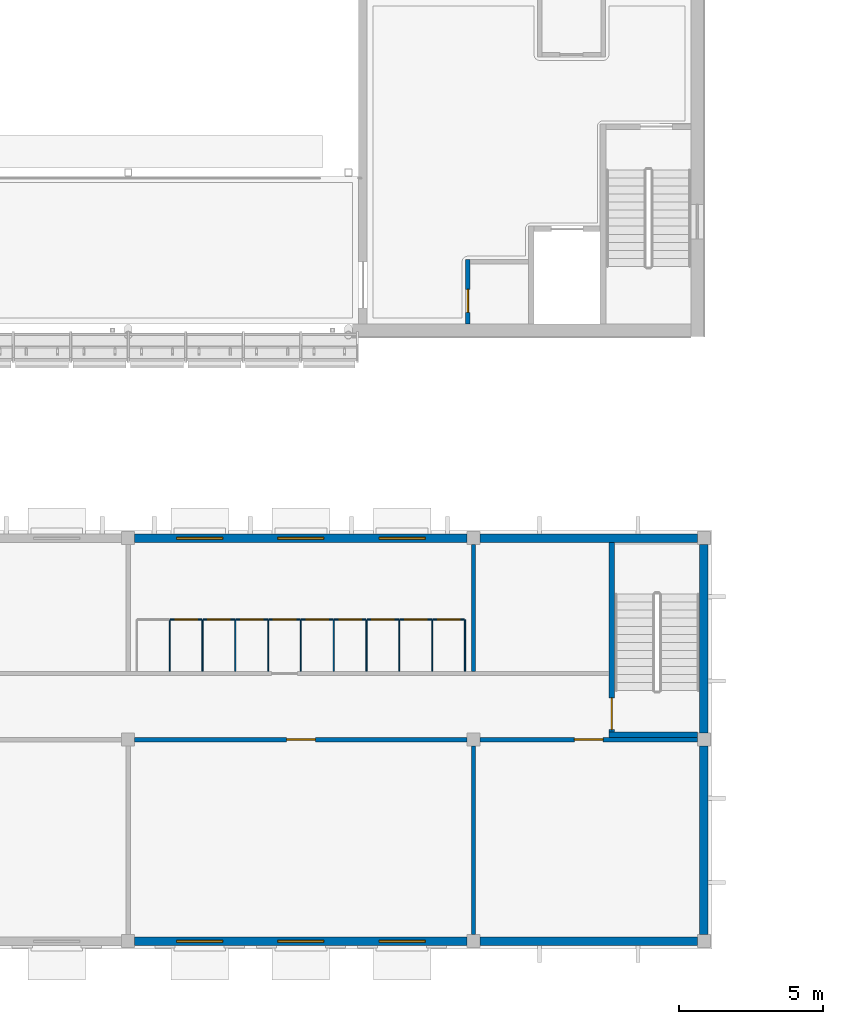
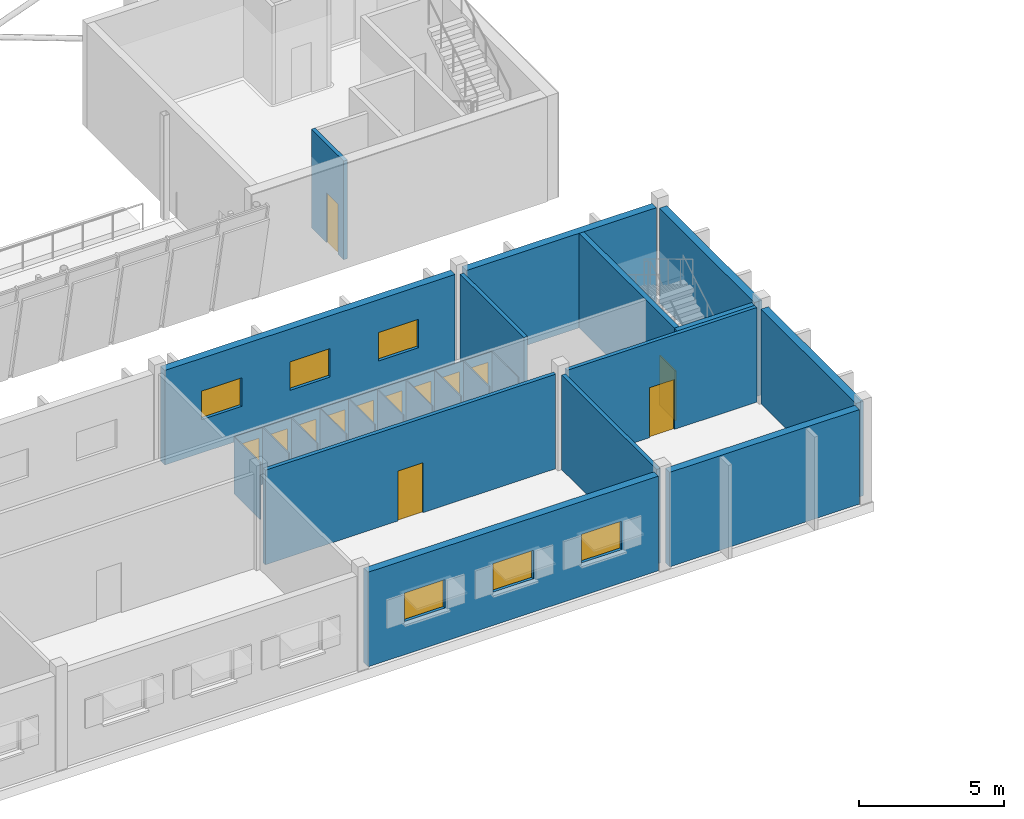
# One storey, part 74 of 115: 32 walls, 13 doors, 6 windows, 19 openings.
"""IFC4 building model written with IfcOpenShell, lengths in metres."""

from ifc_helpers import new_model, si_unit, direction, frame, frame_2d, origin, place, context, subcontext, project, spatial, rectangle, extrude, material, layer, layer_set, type_object, element, fill, save


model = new_model("IFC4")

# Units and contexts
model_context = context("Model", 3, precision=1e-05, world=origin(), true_north=direction((0.0, 1.0)))
body_context = subcontext(model_context, "Body", "Model", "MODEL_VIEW")
ifc_project = project(units=[si_unit("LENGTHUNIT", "METRE"), si_unit("AREAUNIT", "SQUARE_METRE"), si_unit("VOLUMEUNIT", "CUBIC_METRE"), si_unit("PLANEANGLEUNIT", "RADIAN"), si_unit("MASSUNIT", "GRAM", prefix="KILO")], contexts=[model_context])

# Site, building, storey
site_placement = place(None, origin())
site = spatial("IfcSite", under=ifc_project, at=site_placement, CompositionType="ELEMENT")
building_placement = place(site_placement, origin())
building = spatial("IfcBuilding", under=site, at=building_placement, Name="Windward Yard Aquatics Centre", CompositionType="ELEMENT")
storey_placement = place(building_placement, frame((0.0, 0.0, 5.0)))
storey = spatial("IfcBuildingStorey", under=building, at=storey_placement, Name="L01", CompositionType="ELEMENT", Elevation=5.0)

# Wall, opening, door
ifc_material_1 = material(Name="Concrete masonry unit plastered", Category="masonry")
ifc_layer_1 = layer(ifc_material_1, 0.14990234375)
ifc_layer_set_1 = layer_set([ifc_layer_1], Name="C block partition 150")
wall_type_1 = type_object("IfcWallType", Name="C block partition 150", PredefinedType="PARTITIONING", material=ifc_layer_set_1)
wall_1_placement = place(storey_placement, frame((132.22509765625, 12.0, 0.0), z_axis=(0.0, 0.0, 1.0), x_axis=(1.0, 0.0, 0.0)))
wall_1 = element("IfcWall", 1, at=wall_1_placement, inside=storey, type_object=wall_type_1, Name="C.W.L01.SP.S.8", PredefinedType="PARTITIONING", context=body_context, shape_type="SweptSolid", body=[
    extrude(rectangle(XDim=11.5498046875, YDim=0.14990234375, at=frame_2d((5.77490234375, 0.0))), origin(), (0.0, 0.0, 1.0), 3.97998046875),
])
opening_1_placement = place(wall_1_placement, frame((5.27490234375, 0.0, 0.0)))
opening_1 = element("IfcOpeningElement", 2, at=opening_1_placement, cuts=wall_1, Name="Opening C1007", PredefinedType="OPENING", context=body_context, shape_type="SweptSolid", body=[
    extrude(rectangle(XDim=1.0, YDim=2.10009765625, at=frame_2d((0.5, 1.050048828125))), frame((0.0, 0.0849609375, 0.0), z_axis=(0.0, -1.0, 0.0), x_axis=(1.0, 0.0, 0.0)), (0.0, 0.0, 1.0), 0.169921875),
])
ifc_material_2 = material(Name="Timber door leaf in steel frame", Category="steel")
door_type_1 = type_object("IfcDoorType", Name="C door 1000X2100 FD30S", OperationType="SINGLE_SWING_LEFT", PredefinedType="DOOR", material=ifc_material_2)
door_1_placement = place(opening_1_placement, origin())
door_1 = element("IfcDoor", 3, at=door_1_placement, inside=storey, type_object=door_type_1, Name="Door C1007", OperationType="SINGLE_SWING_LEFT", OverallHeight=2.10009765625, OverallWidth=1.0, PredefinedType="DOOR", context=body_context, shape_type="SweptSolid", body=[
    extrude(rectangle(XDim=1.0, YDim=2.10009765625, at=frame_2d((0.5, 1.050048828125))), frame((0.0, 0.02490234375, 0.0), z_axis=(0.0, -1.0, 0.0), x_axis=(1.0, 0.0, 0.0)), (0.0, 0.0, 1.0), 0.050048828125),
])
fill(opening_1, door_1)

wall_2_placement = place(storey_placement, frame((144.22509765625, 12.0, 0.0), z_axis=(0.0, 0.0, 1.0), x_axis=(1.0, 0.0, 0.0)))
wall_2 = element("IfcWall", 4, at=wall_2_placement, inside=storey, type_object=wall_type_1, Name="C.W.L01.SP.S.9", PredefinedType="PARTITIONING", context=body_context, shape_type="SweptSolid", body=[
    extrude(rectangle(XDim=7.5498046875, YDim=0.14990234375, at=frame_2d((3.77490234375, 0.0))), origin(), (0.0, 0.0, 1.0), 3.97998046875),
])
opening_2_placement = place(wall_2_placement, frame((3.27490234375, 0.0, 0.0)))
opening_2 = element("IfcOpeningElement", 5, at=opening_2_placement, cuts=wall_2, Name="Opening C1008", PredefinedType="OPENING", context=body_context, shape_type="SweptSolid", body=[
    extrude(rectangle(XDim=1.0, YDim=2.10009765625, at=frame_2d((0.5, 1.050048828125))), frame((0.0, 0.0849609375, 0.0), z_axis=(0.0, -1.0, 0.0), x_axis=(1.0, 0.0, 0.0)), (0.0, 0.0, 1.0), 0.169921875),
])
door_2_placement = place(opening_2_placement, origin())
door_2 = element("IfcDoor", 6, at=door_2_placement, inside=storey, type_object=door_type_1, Name="Door C1008", OperationType="SINGLE_SWING_LEFT", OverallHeight=2.10009765625, OverallWidth=1.0, PredefinedType="DOOR", context=body_context, shape_type="SweptSolid", body=[
    extrude(rectangle(XDim=1.0, YDim=2.10009765625, at=frame_2d((0.5, 1.050048828125))), frame((0.0, 0.02490234375, 0.0), z_axis=(0.0, -1.0, 0.0), x_axis=(1.0, 0.0, 0.0)), (0.0, 0.0, 1.0), 0.050048828125),
])
fill(opening_2, door_2)

# Walls
wall_3_placement = place(storey_placement, frame((144.0, 5.22509765625, 0.0), z_axis=(0.0, 0.0, 1.0), x_axis=(0.0, 1.0, 0.0)))
element("IfcWall", 7, at=wall_3_placement, inside=storey, type_object=wall_type_1, Name="C.W.L01.SD.92.1", PredefinedType="PARTITIONING", context=body_context, shape_type="SweptSolid", body=[
    extrude(rectangle(XDim=6.5498046875, YDim=0.14990234375, at=frame_2d((3.27490234375, 0.0))), origin(), (0.0, 0.0, 1.0), 3.97998046875),
])
wall_4_placement = place(storey_placement, frame((144.0, 14.375, 0.0), z_axis=(0.0, 0.0, 1.0), x_axis=(0.0, 1.0, 0.0)))
element("IfcWall", 8, at=wall_4_placement, inside=storey, type_object=wall_type_1, Name="C.W.L01.ND.92.1", PredefinedType="PARTITIONING", context=body_context, shape_type="SweptSolid", body=[
    extrude(rectangle(XDim=4.39990234375, YDim=0.14990234375, at=frame_2d((2.199951171875, 0.0))), origin(), (0.0, 0.0, 1.0), 3.97998046875),
])

# Wall, opening, door
ifc_material_3 = material(Name="Concrete C35/45", Category="concrete")
ifc_layer_2 = layer(ifc_material_3, 0.199951171875)
ifc_layer_set_2 = layer_set([ifc_layer_2], Name="C core enclosure wall 200")
wall_type_2 = type_object("IfcWallType", Name="C core enclosure wall 200", PredefinedType="SOLIDWALL", material=ifc_layer_set_2)
wall_5_placement = place(storey_placement, frame((148.800048828125, 12.27490234375, 0.0), z_axis=(0.0, 0.0, 1.0), x_axis=(0.0, 1.0, 0.0)))
wall_5 = element("IfcWall", 9, at=wall_5_placement, inside=storey, type_object=wall_type_2, Name="C.W.L01.SE2.D", PredefinedType="SOLIDWALL", context=body_context, shape_type="SweptSolid", body=[
    extrude(rectangle(XDim=6.5751953125, YDim=0.199951171875, at=frame_2d((3.28759765625, 0.0))), origin(), (0.0, 0.0, 1.0), 3.97998046875),
])
opening_3_placement = place(wall_5_placement, frame((0.074951171875, 0.0, 0.0)))
opening_3 = element("IfcOpeningElement", 10, at=opening_3_placement, cuts=wall_5, Name="Opening C1020", PredefinedType="OPENING", context=body_context, shape_type="SweptSolid", body=[
    extrude(rectangle(XDim=1.10009765625, YDim=2.10009765625, at=frame_2d((0.550048828125, 1.050048828125))), frame((0.0, 0.10986328125, 0.0), z_axis=(0.0, -1.0, 0.0), x_axis=(1.0, 0.0, 0.0)), (0.0, 0.0, 1.0), 0.219970703125),
])
ifc_material_4 = material(Name="Steel door leaf in steel frame", Category="steel")
door_type_2 = type_object("IfcDoorType", Name="C steel door 1100X2100 FD60", OperationType="SINGLE_SWING_LEFT", PredefinedType="DOOR", material=ifc_material_4)
door_3_placement = place(opening_3_placement, origin())
door_3 = element("IfcDoor", 11, at=door_3_placement, inside=storey, type_object=door_type_2, Name="Door C1020", OperationType="SINGLE_SWING_LEFT", OverallHeight=2.10009765625, OverallWidth=1.10009765625, PredefinedType="DOOR", context=body_context, shape_type="SweptSolid", body=[
    extrude(rectangle(XDim=1.10009765625, YDim=2.10009765625, at=frame_2d((0.550048828125, 1.050048828125))), frame((0.0, 0.02490234375, 0.0), z_axis=(0.0, -1.0, 0.0), x_axis=(1.0, 0.0, 0.0)), (0.0, 0.0, 1.0), 0.050048828125),
])
fill(opening_3, door_3)

# Walls
wall_6_placement = place(storey_placement, frame((148.699951171875, 12.175048828125, 0.0), z_axis=(0.0, 0.0, 1.0), x_axis=(1.0, 0.0, 0.0)))
element("IfcWall", 12, at=wall_6_placement, inside=storey, type_object=wall_type_2, Name="C.W.L01.SE2.S", PredefinedType="SOLIDWALL", context=body_context, shape_type="SweptSolid", body=[
    extrude(rectangle(XDim=3.074951171875, YDim=0.199951171875, at=frame_2d((1.53759765625, 0.0))), origin(), (0.0, 0.0, 1.0), 3.97998046875),
])
ifc_material_5 = material(Name="High-pressure laminate panel on stainless frame")
ifc_layer_3 = layer(ifc_material_5, 0.0400390625)
ifc_layer_set_3 = layer_set([ifc_layer_3], Name="C cubicle panel 40")
wall_type_3 = type_object("IfcWallType", Name="C cubicle panel 40", PredefinedType="PARTITIONING", material=ifc_layer_set_3)
for number, where, z_axis, x_axis, name in (
    (13, (133.43994140625, 14.375, 0.0), (0.0, 0.0, 1.0), (0.0, 1.0, 0.0), "C.W.L01.H.P1"),
    (14, (134.580078125, 14.375, 0.0), (0.0, 0.0, 1.0), (0.0, 1.0, 0.0), "C.W.L01.H.P2"),
    (15, (135.719970703125, 14.375, 0.0), (0.0, 0.0, 1.0), (0.0, 1.0, 0.0), "C.W.L01.H.P3"),
    (16, (136.860107421875, 14.375, 0.0), (0.0, 0.0, 1.0), (0.0, 1.0, 0.0), "C.W.L01.H.P4"),
    (17, (138.0, 14.375, 0.0), (0.0, 0.0, 1.0), (0.0, 1.0, 0.0), "C.W.L01.H.P5"),
    (18, (139.139892578125, 14.375, 0.0), (0.0, 0.0, 1.0), (0.0, 1.0, 0.0), "C.W.L01.H.P6"),
    (19, (140.280029296875, 14.375, 0.0), (0.0, 0.0, 1.0), (0.0, 1.0, 0.0), "C.W.L01.H.P7"),
    (20, (141.419921875, 14.375, 0.0), (0.0, 0.0, 1.0), (0.0, 1.0, 0.0), "C.W.L01.H.P8"),
    (21, (142.56005859375, 14.375, 0.0), (0.0, 0.0, 1.0), (0.0, 1.0, 0.0), "C.W.L01.H.P9"),
    (22, (143.699951171875, 14.375, 0.0), (0.0, 0.0, 1.0), (0.0, 1.0, 0.0), "C.W.L01.H.P10"),
):
    element("IfcWall", number, at=place(storey_placement, frame(where, z_axis=z_axis, x_axis=x_axis)), inside=storey, type_object=wall_type_3, Name=name, PredefinedType="PARTITIONING", context=body_context, shape_type="SweptSolid", body=[
        extrude(rectangle(XDim=1.800048828125, YDim=0.0400390625, at=frame_2d((0.89990234375, 0.0))), origin(), (0.0, 0.0, 1.0), 2.39990234375),
    ])

# Wall, opening, door
wall_7_placement = place(storey_placement, frame((133.4599609375, 16.175048828125, 0.0), z_axis=(0.0, 0.0, 1.0), x_axis=(1.0, 0.0, 0.0)))
wall_7 = element("IfcWall", 23, at=wall_7_placement, inside=storey, type_object=wall_type_3, Name="C.W.L01.H.F1", PredefinedType="PARTITIONING", context=body_context, shape_type="SweptSolid", body=[
    extrude(rectangle(XDim=1.10009765625, YDim=0.0400390625, at=frame_2d((0.550048828125, 0.0))), origin(), (0.0, 0.0, 1.0), 2.39990234375),
])
opening_4_placement = place(wall_7_placement, frame((0.14990234375, 0.0, 0.0)))
opening_4 = element("IfcOpeningElement", 24, at=opening_4_placement, cuts=wall_7, Name="Opening C1092", PredefinedType="OPENING", context=body_context, shape_type="SweptSolid", body=[
    extrude(rectangle(XDim=0.800048828125, YDim=2.0, at=frame_2d((0.39990234375, 1.0))), frame((0.0, 0.030029296875, 0.0), z_axis=(0.0, -1.0, 0.0), x_axis=(1.0, 0.0, 0.0)), (0.0, 0.0, 1.0), 0.06005859375),
])
ifc_material_6 = material(Name="High-pressure laminate door leaf")
door_type_3 = type_object("IfcDoorType", Name="C door 800X2000 NOT RATED", OperationType="SINGLE_SWING_LEFT", PredefinedType="DOOR", material=ifc_material_6)
door_4_placement = place(opening_4_placement, origin())
door_4 = element("IfcDoor", 25, at=door_4_placement, inside=storey, type_object=door_type_3, Name="Cubicle door H2", OperationType="SINGLE_SWING_LEFT", OverallHeight=2.0, OverallWidth=0.800048828125, PredefinedType="DOOR", context=body_context, shape_type="SweptSolid", body=[
    extrude(rectangle(XDim=0.800048828125, YDim=2.0, at=frame_2d((0.39990234375, 1.0))), frame((0.0, 0.019775390625, 0.0), z_axis=(0.0, -1.0, 0.0), x_axis=(1.0, 0.0, 0.0)), (0.0, 0.0, 1.0), 0.03955078125),
])
fill(opening_4, door_4)

wall_8_placement = place(storey_placement, frame((134.60009765625, 16.175048828125, 0.0), z_axis=(0.0, 0.0, 1.0), x_axis=(1.0, 0.0, 0.0)))
wall_8 = element("IfcWall", 26, at=wall_8_placement, inside=storey, type_object=wall_type_3, Name="C.W.L01.H.F2", PredefinedType="PARTITIONING", context=body_context, shape_type="SweptSolid", body=[
    extrude(rectangle(XDim=1.099853515625, YDim=0.0400390625, at=frame_2d((0.5498046875, 0.0))), origin(), (0.0, 0.0, 1.0), 2.39990234375),
])
opening_5_placement = place(wall_8_placement, frame((0.14990234375, 0.0, 0.0)))
opening_5 = element("IfcOpeningElement", 27, at=opening_5_placement, cuts=wall_8, Name="Opening C1093", PredefinedType="OPENING", context=body_context, shape_type="SweptSolid", body=[
    extrude(rectangle(XDim=0.800048828125, YDim=2.0, at=frame_2d((0.39990234375, 1.0))), frame((0.0, 0.030029296875, 0.0), z_axis=(0.0, -1.0, 0.0), x_axis=(1.0, 0.0, 0.0)), (0.0, 0.0, 1.0), 0.06005859375),
])
door_5_placement = place(opening_5_placement, origin())
door_5 = element("IfcDoor", 28, at=door_5_placement, inside=storey, type_object=door_type_3, Name="Cubicle door H3", OperationType="SINGLE_SWING_LEFT", OverallHeight=2.0, OverallWidth=0.800048828125, PredefinedType="DOOR", context=body_context, shape_type="SweptSolid", body=[
    extrude(rectangle(XDim=0.800048828125, YDim=2.0, at=frame_2d((0.39990234375, 1.0))), frame((0.0, 0.019775390625, 0.0), z_axis=(0.0, -1.0, 0.0), x_axis=(1.0, 0.0, 0.0)), (0.0, 0.0, 1.0), 0.03955078125),
])
fill(opening_5, door_5)

wall_9_placement = place(storey_placement, frame((135.739990234375, 16.175048828125, 0.0), z_axis=(0.0, 0.0, 1.0), x_axis=(1.0, 0.0, 0.0)))
wall_9 = element("IfcWall", 29, at=wall_9_placement, inside=storey, type_object=wall_type_3, Name="C.W.L01.H.F3", PredefinedType="PARTITIONING", context=body_context, shape_type="SweptSolid", body=[
    extrude(rectangle(XDim=1.10009765625, YDim=0.0400390625, at=frame_2d((0.550048828125, 0.0))), origin(), (0.0, 0.0, 1.0), 2.39990234375),
])
opening_6_placement = place(wall_9_placement, frame((0.14990234375, 0.0, 0.0)))
opening_6 = element("IfcOpeningElement", 30, at=opening_6_placement, cuts=wall_9, Name="Opening C1094", PredefinedType="OPENING", context=body_context, shape_type="SweptSolid", body=[
    extrude(rectangle(XDim=0.800048828125, YDim=2.0, at=frame_2d((0.39990234375, 1.0))), frame((0.0, 0.030029296875, 0.0), z_axis=(0.0, -1.0, 0.0), x_axis=(1.0, 0.0, 0.0)), (0.0, 0.0, 1.0), 0.06005859375),
])
door_6_placement = place(opening_6_placement, origin())
door_6 = element("IfcDoor", 31, at=door_6_placement, inside=storey, type_object=door_type_3, Name="Cubicle door H4", OperationType="SINGLE_SWING_LEFT", OverallHeight=2.0, OverallWidth=0.800048828125, PredefinedType="DOOR", context=body_context, shape_type="SweptSolid", body=[
    extrude(rectangle(XDim=0.800048828125, YDim=2.0, at=frame_2d((0.39990234375, 1.0))), frame((0.0, 0.019775390625, 0.0), z_axis=(0.0, -1.0, 0.0), x_axis=(1.0, 0.0, 0.0)), (0.0, 0.0, 1.0), 0.03955078125),
])
fill(opening_6, door_6)

wall_10_placement = place(storey_placement, frame((136.8798828125, 16.175048828125, 0.0), z_axis=(0.0, 0.0, 1.0), x_axis=(1.0, 0.0, 0.0)))
wall_10 = element("IfcWall", 32, at=wall_10_placement, inside=storey, type_object=wall_type_3, Name="C.W.L01.H.F4", PredefinedType="PARTITIONING", context=body_context, shape_type="SweptSolid", body=[
    extrude(rectangle(XDim=1.10009765625, YDim=0.0400390625, at=frame_2d((0.550048828125, 0.0))), origin(), (0.0, 0.0, 1.0), 2.39990234375),
])
opening_7_placement = place(wall_10_placement, frame((0.14990234375, 0.0, 0.0)))
opening_7 = element("IfcOpeningElement", 33, at=opening_7_placement, cuts=wall_10, Name="Opening C1095", PredefinedType="OPENING", context=body_context, shape_type="SweptSolid", body=[
    extrude(rectangle(XDim=0.800048828125, YDim=2.0, at=frame_2d((0.39990234375, 1.0))), frame((0.0, 0.030029296875, 0.0), z_axis=(0.0, -1.0, 0.0), x_axis=(1.0, 0.0, 0.0)), (0.0, 0.0, 1.0), 0.06005859375),
])
door_7_placement = place(opening_7_placement, origin())
door_7 = element("IfcDoor", 34, at=door_7_placement, inside=storey, type_object=door_type_3, Name="Cubicle door H5", OperationType="SINGLE_SWING_LEFT", OverallHeight=2.0, OverallWidth=0.800048828125, PredefinedType="DOOR", context=body_context, shape_type="SweptSolid", body=[
    extrude(rectangle(XDim=0.800048828125, YDim=2.0, at=frame_2d((0.39990234375, 1.0))), frame((0.0, 0.019775390625, 0.0), z_axis=(0.0, -1.0, 0.0), x_axis=(1.0, 0.0, 0.0)), (0.0, 0.0, 1.0), 0.03955078125),
])
fill(opening_7, door_7)

wall_11_placement = place(storey_placement, frame((138.02001953125, 16.175048828125, 0.0), z_axis=(0.0, 0.0, 1.0), x_axis=(1.0, 0.0, 0.0)))
wall_11 = element("IfcWall", 35, at=wall_11_placement, inside=storey, type_object=wall_type_3, Name="C.W.L01.H.F5", PredefinedType="PARTITIONING", context=body_context, shape_type="SweptSolid", body=[
    extrude(rectangle(XDim=1.10009765625, YDim=0.0400390625, at=frame_2d((0.550048828125, 0.0))), origin(), (0.0, 0.0, 1.0), 2.39990234375),
])
opening_8_placement = place(wall_11_placement, frame((0.14990234375, 0.0, 0.0)))
opening_8 = element("IfcOpeningElement", 36, at=opening_8_placement, cuts=wall_11, Name="Opening C1096", PredefinedType="OPENING", context=body_context, shape_type="SweptSolid", body=[
    extrude(rectangle(XDim=0.800048828125, YDim=2.0, at=frame_2d((0.39990234375, 1.0))), frame((0.0, 0.030029296875, 0.0), z_axis=(0.0, -1.0, 0.0), x_axis=(1.0, 0.0, 0.0)), (0.0, 0.0, 1.0), 0.06005859375),
])
door_8_placement = place(opening_8_placement, origin())
door_8 = element("IfcDoor", 37, at=door_8_placement, inside=storey, type_object=door_type_3, Name="Cubicle door H6", OperationType="SINGLE_SWING_LEFT", OverallHeight=2.0, OverallWidth=0.800048828125, PredefinedType="DOOR", context=body_context, shape_type="SweptSolid", body=[
    extrude(rectangle(XDim=0.800048828125, YDim=2.0, at=frame_2d((0.39990234375, 1.0))), frame((0.0, 0.019775390625, 0.0), z_axis=(0.0, -1.0, 0.0), x_axis=(1.0, 0.0, 0.0)), (0.0, 0.0, 1.0), 0.03955078125),
])
fill(opening_8, door_8)

wall_12_placement = place(storey_placement, frame((139.159912109375, 16.175048828125, 0.0), z_axis=(0.0, 0.0, 1.0), x_axis=(1.0, 0.0, 0.0)))
wall_12 = element("IfcWall", 38, at=wall_12_placement, inside=storey, type_object=wall_type_3, Name="C.W.L01.H.F6", PredefinedType="PARTITIONING", context=body_context, shape_type="SweptSolid", body=[
    extrude(rectangle(XDim=1.10009765625, YDim=0.0400390625, at=frame_2d((0.550048828125, 0.0))), origin(), (0.0, 0.0, 1.0), 2.39990234375),
])
opening_9_placement = place(wall_12_placement, frame((0.14990234375, 0.0, 0.0)))
opening_9 = element("IfcOpeningElement", 39, at=opening_9_placement, cuts=wall_12, Name="Opening C1097", PredefinedType="OPENING", context=body_context, shape_type="SweptSolid", body=[
    extrude(rectangle(XDim=0.800048828125, YDim=2.0, at=frame_2d((0.39990234375, 1.0))), frame((0.0, 0.030029296875, 0.0), z_axis=(0.0, -1.0, 0.0), x_axis=(1.0, 0.0, 0.0)), (0.0, 0.0, 1.0), 0.06005859375),
])
door_9_placement = place(opening_9_placement, origin())
door_9 = element("IfcDoor", 40, at=door_9_placement, inside=storey, type_object=door_type_3, Name="Cubicle door H7", OperationType="SINGLE_SWING_LEFT", OverallHeight=2.0, OverallWidth=0.800048828125, PredefinedType="DOOR", context=body_context, shape_type="SweptSolid", body=[
    extrude(rectangle(XDim=0.800048828125, YDim=2.0, at=frame_2d((0.39990234375, 1.0))), frame((0.0, 0.019775390625, 0.0), z_axis=(0.0, -1.0, 0.0), x_axis=(1.0, 0.0, 0.0)), (0.0, 0.0, 1.0), 0.03955078125),
])
fill(opening_9, door_9)

wall_13_placement = place(storey_placement, frame((140.300048828125, 16.175048828125, 0.0), z_axis=(0.0, 0.0, 1.0), x_axis=(1.0, 0.0, 0.0)))
wall_13 = element("IfcWall", 41, at=wall_13_placement, inside=storey, type_object=wall_type_3, Name="C.W.L01.H.F7", PredefinedType="PARTITIONING", context=body_context, shape_type="SweptSolid", body=[
    extrude(rectangle(XDim=1.099853515625, YDim=0.0400390625, at=frame_2d((0.5498046875, 0.0))), origin(), (0.0, 0.0, 1.0), 2.39990234375),
])
opening_10_placement = place(wall_13_placement, frame((0.14990234375, 0.0, 0.0)))
opening_10 = element("IfcOpeningElement", 42, at=opening_10_placement, cuts=wall_13, Name="Opening C1098", PredefinedType="OPENING", context=body_context, shape_type="SweptSolid", body=[
    extrude(rectangle(XDim=0.800048828125, YDim=2.0, at=frame_2d((0.39990234375, 1.0))), frame((0.0, 0.030029296875, 0.0), z_axis=(0.0, -1.0, 0.0), x_axis=(1.0, 0.0, 0.0)), (0.0, 0.0, 1.0), 0.06005859375),
])
door_10_placement = place(opening_10_placement, origin())
door_10 = element("IfcDoor", 43, at=door_10_placement, inside=storey, type_object=door_type_3, Name="Cubicle door H8", OperationType="SINGLE_SWING_LEFT", OverallHeight=2.0, OverallWidth=0.800048828125, PredefinedType="DOOR", context=body_context, shape_type="SweptSolid", body=[
    extrude(rectangle(XDim=0.800048828125, YDim=2.0, at=frame_2d((0.39990234375, 1.0))), frame((0.0, 0.019775390625, 0.0), z_axis=(0.0, -1.0, 0.0), x_axis=(1.0, 0.0, 0.0)), (0.0, 0.0, 1.0), 0.03955078125),
])
fill(opening_10, door_10)

wall_14_placement = place(storey_placement, frame((141.43994140625, 16.175048828125, 0.0), z_axis=(0.0, 0.0, 1.0), x_axis=(1.0, 0.0, 0.0)))
wall_14 = element("IfcWall", 44, at=wall_14_placement, inside=storey, type_object=wall_type_3, Name="C.W.L01.H.F8", PredefinedType="PARTITIONING", context=body_context, shape_type="SweptSolid", body=[
    extrude(rectangle(XDim=1.10009765625, YDim=0.0400390625, at=frame_2d((0.550048828125, 0.0))), origin(), (0.0, 0.0, 1.0), 2.39990234375),
])
opening_11_placement = place(wall_14_placement, frame((0.14990234375, 0.0, 0.0)))
opening_11 = element("IfcOpeningElement", 45, at=opening_11_placement, cuts=wall_14, Name="Opening C1099", PredefinedType="OPENING", context=body_context, shape_type="SweptSolid", body=[
    extrude(rectangle(XDim=0.800048828125, YDim=2.0, at=frame_2d((0.39990234375, 1.0))), frame((0.0, 0.030029296875, 0.0), z_axis=(0.0, -1.0, 0.0), x_axis=(1.0, 0.0, 0.0)), (0.0, 0.0, 1.0), 0.06005859375),
])
door_11_placement = place(opening_11_placement, origin())
door_11 = element("IfcDoor", 46, at=door_11_placement, inside=storey, type_object=door_type_3, Name="Cubicle door H9", OperationType="SINGLE_SWING_LEFT", OverallHeight=2.0, OverallWidth=0.800048828125, PredefinedType="DOOR", context=body_context, shape_type="SweptSolid", body=[
    extrude(rectangle(XDim=0.800048828125, YDim=2.0, at=frame_2d((0.39990234375, 1.0))), frame((0.0, 0.019775390625, 0.0), z_axis=(0.0, -1.0, 0.0), x_axis=(1.0, 0.0, 0.0)), (0.0, 0.0, 1.0), 0.03955078125),
])
fill(opening_11, door_11)

wall_15_placement = place(storey_placement, frame((142.580078125, 16.175048828125, 0.0), z_axis=(0.0, 0.0, 1.0), x_axis=(1.0, 0.0, 0.0)))
wall_15 = element("IfcWall", 47, at=wall_15_placement, inside=storey, type_object=wall_type_3, Name="C.W.L01.H.F9", PredefinedType="PARTITIONING", context=body_context, shape_type="SweptSolid", body=[
    extrude(rectangle(XDim=1.099853515625, YDim=0.0400390625, at=frame_2d((0.5498046875, 0.0))), origin(), (0.0, 0.0, 1.0), 2.39990234375),
])
opening_12_placement = place(wall_15_placement, frame((0.14990234375, 0.0, 0.0)))
opening_12 = element("IfcOpeningElement", 48, at=opening_12_placement, cuts=wall_15, Name="Opening C1100", PredefinedType="OPENING", context=body_context, shape_type="SweptSolid", body=[
    extrude(rectangle(XDim=0.800048828125, YDim=2.0, at=frame_2d((0.39990234375, 1.0))), frame((0.0, 0.030029296875, 0.0), z_axis=(0.0, -1.0, 0.0), x_axis=(1.0, 0.0, 0.0)), (0.0, 0.0, 1.0), 0.06005859375),
])
door_12_placement = place(opening_12_placement, origin())
door_12 = element("IfcDoor", 49, at=door_12_placement, inside=storey, type_object=door_type_3, Name="Cubicle door H10", OperationType="SINGLE_SWING_LEFT", OverallHeight=2.0, OverallWidth=0.800048828125, PredefinedType="DOOR", context=body_context, shape_type="SweptSolid", body=[
    extrude(rectangle(XDim=0.800048828125, YDim=2.0, at=frame_2d((0.39990234375, 1.0))), frame((0.0, 0.019775390625, 0.0), z_axis=(0.0, -1.0, 0.0), x_axis=(1.0, 0.0, 0.0)), (0.0, 0.0, 1.0), 0.03955078125),
])
fill(opening_12, door_12)

# Wall, openings, windows
ifc_material_7 = material(Name="Natural stone cladding", Category="masonry")
ifc_layer_4 = layer(ifc_material_7, 0.04, Name="Cladding")
ifc_material_8 = material(Name="Ventilated air cavity")
ifc_layer_5 = layer(ifc_material_8, 0.04, ventilated=True, Name="Ventilated cavity")
ifc_material_9 = material(Name="Mineral wool insulation")
ifc_layer_6 = layer(ifc_material_9, 0.06, Name="Insulation")
ifc_layer_7 = layer(ifc_material_3, 0.16, Name="Structure")
ifc_layer_set_4 = layer_set([ifc_layer_4, ifc_layer_5, ifc_layer_6, ifc_layer_7], Name="C stone-faced external wall 300")
wall_type_4 = type_object("IfcWallType", Name="C stone-faced external wall 300", PredefinedType="ELEMENTEDWALL", material=ifc_layer_set_4)
wall_16_placement = place(storey_placement, frame((132.22509765625, 5.0, 0.0), z_axis=(0.0, 0.0, 1.0), x_axis=(1.0, 0.0, 0.0)))
wall_16 = element("IfcWall", 50, at=wall_16_placement, inside=storey, type_object=wall_type_4, Name="C.W.L01.S8", PredefinedType="ELEMENTEDWALL", context=body_context, shape_type="SweptSolid", body=[
    extrude(rectangle(XDim=11.5498046875, YDim=0.300048828125, at=frame_2d((5.77490234375, 0.0))), origin(), (0.0, 0.0, 1.0), 3.97998046875),
])
opening_13_placement = place(wall_16_placement, frame((1.458251953125, 0.0, 1.39990234375)))
opening_13 = element("IfcOpeningElement", 51, at=opening_13_placement, cuts=wall_16, Name="Opening CW1019", PredefinedType="OPENING", context=body_context, shape_type="SweptSolid", body=[
    extrude(rectangle(XDim=1.60009765625, YDim=1.199951171875, at=frame_2d((0.800048828125, 0.60009765625))), frame((0.0, 0.16015625, 0.0), z_axis=(0.0, -1.0, 0.0), x_axis=(1.0, 0.0, 0.0)), (0.0, 0.0, 1.0), 0.320068359375),
])
opening_14_placement = place(wall_16_placement, frame((4.97509765625, 0.0, 1.39990234375)))
opening_14 = element("IfcOpeningElement", 52, at=opening_14_placement, cuts=wall_16, Name="Opening CW1020", PredefinedType="OPENING", context=body_context, shape_type="SweptSolid", body=[
    extrude(rectangle(XDim=1.60009765625, YDim=1.199951171875, at=frame_2d((0.800048828125, 0.60009765625))), frame((0.0, 0.16015625, 0.0), z_axis=(0.0, -1.0, 0.0), x_axis=(1.0, 0.0, 0.0)), (0.0, 0.0, 1.0), 0.320068359375),
])
opening_15_placement = place(wall_16_placement, frame((8.49169921875, 0.0, 1.39990234375)))
opening_15 = element("IfcOpeningElement", 53, at=opening_15_placement, cuts=wall_16, Name="Opening CW1021", PredefinedType="OPENING", context=body_context, shape_type="SweptSolid", body=[
    extrude(rectangle(XDim=1.60009765625, YDim=1.199951171875, at=frame_2d((0.800048828125, 0.60009765625))), frame((0.0, 0.16015625, 0.0), z_axis=(0.0, -1.0, 0.0), x_axis=(1.0, 0.0, 0.0)), (0.0, 0.0, 1.0), 0.320068359375),
])
ifc_material_10 = material(Name="Aluminium framed double glazing", Category="aluminium")
window_type = type_object("IfcWindowType", Name="C window 1600X1200", PartitioningType="SINGLE_PANEL", PredefinedType="WINDOW", material=ifc_material_10)
window_1_placement = place(opening_13_placement, origin())
window_1 = element("IfcWindow", 54, at=window_1_placement, inside=storey, type_object=window_type, Name="Window CW1019", OverallHeight=1.199951171875, OverallWidth=1.60009765625, PartitioningType="SINGLE_PANEL", PredefinedType="WINDOW", context=body_context, shape_type="SweptSolid", body=[
    extrude(rectangle(XDim=1.60009765625, YDim=1.199951171875, at=frame_2d((0.800048828125, 0.60009765625))), frame((0.0, 0.030029296875, 0.0), z_axis=(0.0, -1.0, 0.0), x_axis=(1.0, 0.0, 0.0)), (0.0, 0.0, 1.0), 0.06005859375),
])
fill(opening_13, window_1)
window_2_placement = place(opening_14_placement, origin())
window_2 = element("IfcWindow", 55, at=window_2_placement, inside=storey, type_object=window_type, Name="Window CW1020", OverallHeight=1.199951171875, OverallWidth=1.60009765625, PartitioningType="SINGLE_PANEL", PredefinedType="WINDOW", context=body_context, shape_type="SweptSolid", body=[
    extrude(rectangle(XDim=1.60009765625, YDim=1.199951171875, at=frame_2d((0.800048828125, 0.60009765625))), frame((0.0, 0.030029296875, 0.0), z_axis=(0.0, -1.0, 0.0), x_axis=(1.0, 0.0, 0.0)), (0.0, 0.0, 1.0), 0.06005859375),
])
fill(opening_14, window_2)
window_3_placement = place(opening_15_placement, origin())
window_3 = element("IfcWindow", 56, at=window_3_placement, inside=storey, type_object=window_type, Name="Window CW1021", OverallHeight=1.199951171875, OverallWidth=1.60009765625, PartitioningType="SINGLE_PANEL", PredefinedType="WINDOW", context=body_context, shape_type="SweptSolid", body=[
    extrude(rectangle(XDim=1.60009765625, YDim=1.199951171875, at=frame_2d((0.800048828125, 0.60009765625))), frame((0.0, 0.030029296875, 0.0), z_axis=(0.0, -1.0, 0.0), x_axis=(1.0, 0.0, 0.0)), (0.0, 0.0, 1.0), 0.06005859375),
])
fill(opening_15, window_3)

# Wall
wall_17_placement = place(storey_placement, frame((144.22509765625, 5.0, 0.0), z_axis=(0.0, 0.0, 1.0), x_axis=(1.0, 0.0, 0.0)))
element("IfcWall", 57, at=wall_17_placement, inside=storey, type_object=wall_type_4, Name="C.W.L01.S9", PredefinedType="ELEMENTEDWALL", context=body_context, shape_type="SweptSolid", body=[
    extrude(rectangle(XDim=7.5498046875, YDim=0.300048828125, at=frame_2d((3.77490234375, 0.0))), origin(), (0.0, 0.0, 1.0), 3.97998046875),
])

# Wall, openings, windows
wall_18_placement = place(storey_placement, frame((132.22509765625, 19.0, 0.0), z_axis=(0.0, 0.0, 1.0), x_axis=(1.0, 0.0, 0.0)))
wall_18 = element("IfcWall", 58, at=wall_18_placement, inside=storey, type_object=wall_type_4, Name="C.W.L01.N8", PredefinedType="ELEMENTEDWALL", context=body_context, shape_type="SweptSolid", body=[
    extrude(rectangle(XDim=11.5498046875, YDim=0.300048828125, at=frame_2d((5.77490234375, 0.0))), origin(), (0.0, 0.0, 1.0), 3.97998046875),
])
opening_16_placement = place(wall_18_placement, frame((1.458251953125, 0.0, 1.39990234375)))
opening_16 = element("IfcOpeningElement", 59, at=opening_16_placement, cuts=wall_18, Name="Opening CW1040", PredefinedType="OPENING", context=body_context, shape_type="SweptSolid", body=[
    extrude(rectangle(XDim=1.60009765625, YDim=1.199951171875, at=frame_2d((0.800048828125, 0.60009765625))), frame((0.0, 0.16015625, 0.0), z_axis=(0.0, -1.0, 0.0), x_axis=(1.0, 0.0, 0.0)), (0.0, 0.0, 1.0), 0.320068359375),
])
opening_17_placement = place(wall_18_placement, frame((4.97509765625, 0.0, 1.39990234375)))
opening_17 = element("IfcOpeningElement", 60, at=opening_17_placement, cuts=wall_18, Name="Opening CW1041", PredefinedType="OPENING", context=body_context, shape_type="SweptSolid", body=[
    extrude(rectangle(XDim=1.60009765625, YDim=1.199951171875, at=frame_2d((0.800048828125, 0.60009765625))), frame((0.0, 0.16015625, 0.0), z_axis=(0.0, -1.0, 0.0), x_axis=(1.0, 0.0, 0.0)), (0.0, 0.0, 1.0), 0.320068359375),
])
opening_18_placement = place(wall_18_placement, frame((8.49169921875, 0.0, 1.39990234375)))
opening_18 = element("IfcOpeningElement", 61, at=opening_18_placement, cuts=wall_18, Name="Opening CW1042", PredefinedType="OPENING", context=body_context, shape_type="SweptSolid", body=[
    extrude(rectangle(XDim=1.60009765625, YDim=1.199951171875, at=frame_2d((0.800048828125, 0.60009765625))), frame((0.0, 0.16015625, 0.0), z_axis=(0.0, -1.0, 0.0), x_axis=(1.0, 0.0, 0.0)), (0.0, 0.0, 1.0), 0.320068359375),
])
window_4_placement = place(opening_16_placement, origin())
window_4 = element("IfcWindow", 62, at=window_4_placement, inside=storey, type_object=window_type, Name="Window CW1040", OverallHeight=1.199951171875, OverallWidth=1.60009765625, PartitioningType="SINGLE_PANEL", PredefinedType="WINDOW", context=body_context, shape_type="SweptSolid", body=[
    extrude(rectangle(XDim=1.60009765625, YDim=1.199951171875, at=frame_2d((0.800048828125, 0.60009765625))), frame((0.0, 0.030029296875, 0.0), z_axis=(0.0, -1.0, 0.0), x_axis=(1.0, 0.0, 0.0)), (0.0, 0.0, 1.0), 0.06005859375),
])
fill(opening_16, window_4)
window_5_placement = place(opening_17_placement, origin())
window_5 = element("IfcWindow", 63, at=window_5_placement, inside=storey, type_object=window_type, Name="Window CW1041", OverallHeight=1.199951171875, OverallWidth=1.60009765625, PartitioningType="SINGLE_PANEL", PredefinedType="WINDOW", context=body_context, shape_type="SweptSolid", body=[
    extrude(rectangle(XDim=1.60009765625, YDim=1.199951171875, at=frame_2d((0.800048828125, 0.60009765625))), frame((0.0, 0.030029296875, 0.0), z_axis=(0.0, -1.0, 0.0), x_axis=(1.0, 0.0, 0.0)), (0.0, 0.0, 1.0), 0.06005859375),
])
fill(opening_17, window_5)
window_6_placement = place(opening_18_placement, origin())
window_6 = element("IfcWindow", 64, at=window_6_placement, inside=storey, type_object=window_type, Name="Window CW1042", OverallHeight=1.199951171875, OverallWidth=1.60009765625, PartitioningType="SINGLE_PANEL", PredefinedType="WINDOW", context=body_context, shape_type="SweptSolid", body=[
    extrude(rectangle(XDim=1.60009765625, YDim=1.199951171875, at=frame_2d((0.800048828125, 0.60009765625))), frame((0.0, 0.030029296875, 0.0), z_axis=(0.0, -1.0, 0.0), x_axis=(1.0, 0.0, 0.0)), (0.0, 0.0, 1.0), 0.06005859375),
])
fill(opening_18, window_6)

# Walls
wall_19_placement = place(storey_placement, frame((144.22509765625, 19.0, 0.0), z_axis=(0.0, 0.0, 1.0), x_axis=(1.0, 0.0, 0.0)))
element("IfcWall", 65, at=wall_19_placement, inside=storey, type_object=wall_type_4, Name="C.W.L01.N9", PredefinedType="ELEMENTEDWALL", context=body_context, shape_type="SweptSolid", body=[
    extrude(rectangle(XDim=7.5498046875, YDim=0.300048828125, at=frame_2d((3.77490234375, 0.0))), origin(), (0.0, 0.0, 1.0), 3.97998046875),
])
for number, where, z_axis, x_axis, name in (
    (66, (152.0, 5.22509765625, 0.0), (0.0, 0.0, 1.0), (0.0, 1.0, 0.0), "C.W.L01.E1"),
    (67, (152.0, 12.22509765625, 0.0), (0.0, 0.0, 1.0), (0.0, 1.0, 0.0), "C.W.L01.E2"),
):
    element("IfcWall", number, at=place(storey_placement, frame(where, z_axis=z_axis, x_axis=x_axis)), inside=storey, type_object=wall_type_4, Name=name, PredefinedType="ELEMENTEDWALL", context=body_context, shape_type="SweptSolid", body=[
        extrude(rectangle(XDim=6.5498046875, YDim=0.300048828125, at=frame_2d((3.27490234375, 0.0))), origin(), (0.0, 0.0, 1.0), 3.97998046875),
    ])

# Wall, opening, door
ifc_material_11 = material(Name="Blockwork 150 mm", Category="masonry")
ifc_layer_8 = layer(ifc_material_11, 0.14990234375)
ifc_layer_set_5 = layer_set([ifc_layer_8], Name="H Partition Blockwork 150")
wall_type_5 = type_object("IfcWallType", Name="H Partition Blockwork 150", PredefinedType="PARTITIONING", material=ifc_layer_set_5)
wall_20_placement = place(storey_placement, frame((143.800048828125, 26.449951171875, 0.0), z_axis=(0.0, 0.0, 1.0), x_axis=(0.0, 1.0, 0.0)))
wall_20 = element("IfcWall", 68, at=wall_20_placement, inside=storey, type_object=wall_type_5, Name="L01 R1E riser wall SE", PredefinedType="PARTITIONING", context=body_context, shape_type="SweptSolid", body=[
    extrude(rectangle(XDim=2.22509765625, YDim=0.14990234375, at=frame_2d((1.112548828125, 0.0))), origin(), (0.0, 0.0, 1.0), 4.14990234375),
])
opening_19_placement = place(wall_20_placement, frame((0.39990234375, 0.0, 0.0)))
opening_19 = element("IfcOpeningElement", 69, at=opening_19_placement, cuts=wall_20, Name="Opening H1009", PredefinedType="OPENING", context=body_context, shape_type="SweptSolid", body=[
    extrude(rectangle(XDim=0.800048828125, YDim=2.10009765625, at=frame_2d((0.39990234375, 1.050048828125))), frame((0.0, 0.0849609375, 0.0), z_axis=(0.0, -1.0, 0.0), x_axis=(1.0, 0.0, 0.0)), (0.0, 0.0, 1.0), 0.169921875),
])
ifc_material_12 = material(Name="Steel and timber door leaf", Category="steel")
door_type_4 = type_object("IfcDoorType", Name="H Door Riser 800 x 2100 FD60", OperationType="NOTDEFINED", PredefinedType="DOOR", material=ifc_material_12)
door_13_placement = place(opening_19_placement, origin())
door_13 = element("IfcDoor", 70, at=door_13_placement, inside=storey, type_object=door_type_4, Name="L01 electrical riser SE door", OperationType="SINGLE_SWING_RIGHT", OverallHeight=2.10009765625, OverallWidth=0.800048828125, PredefinedType="DOOR", context=body_context, shape_type="SweptSolid", body=[
    extrude(rectangle(XDim=0.800048828125, YDim=2.10009765625, at=frame_2d((0.39990234375, 1.050048828125))), frame((0.0, 0.02490234375, 0.0), z_axis=(0.0, -1.0, 0.0), x_axis=(1.0, 0.0, 0.0)), (0.0, 0.0, 1.0), 0.050048828125),
])
fill(opening_19, door_13)

save(model, "model.ifc")
